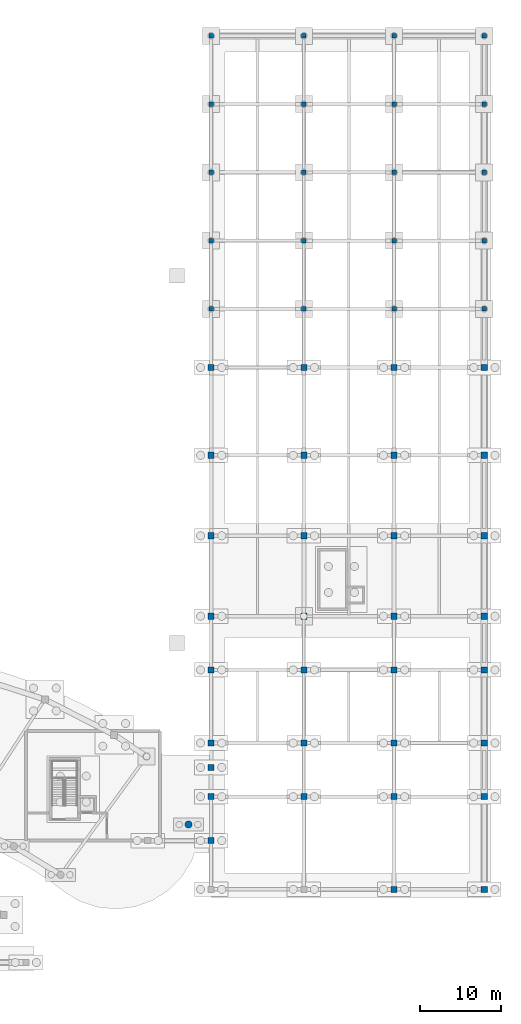
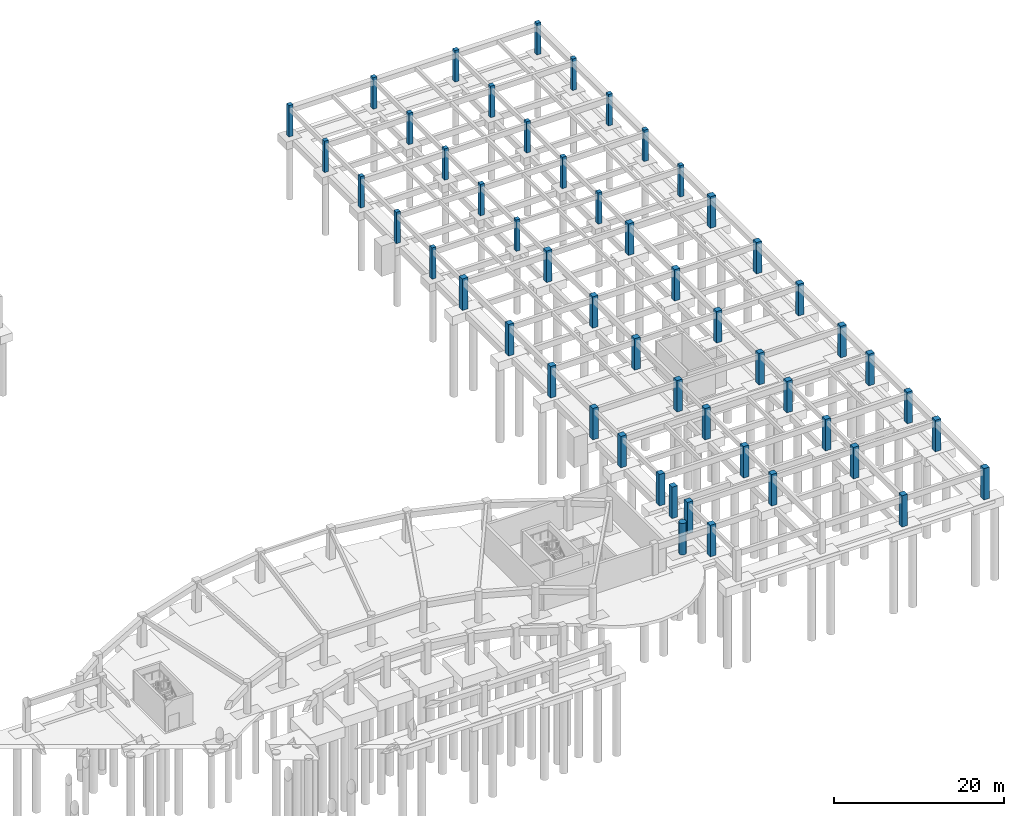
# One storey, part 9 of 28: 53 columns.
"""IFC4 building model written with IfcOpenShell, lengths in metres."""

import ifcopenshell
import ifcopenshell.guid

model = None  # the IFC model being written
_history = None  # IfcOwnerHistory: only IFC2X3 demands one
_inside = {}  # id of a spatial element -> (the spatial element, [elements in it])
_under = {}  # id of a project, library or spatial element -> (it, [spatial elements below it])
_declared = {}  # id of a project -> (the project, [libraries it declares])
_typed = {}  # id of a type object -> (the type object, [elements of that type])
_made_of = {}  # id of a material, layer set ... -> (it, [elements and type objects made of it])


def new_model(schema):
    """Start an empty IFC model of exactly this schema.

    Asked for "IFC4X3", IfcOpenShell would pick the latest addendum, in which some entities
    have other attributes; the version numbers below select the first issue.
    IFC2X3 requires an IfcOwnerHistory on every rooted entity: one is made here for all.
    """
    global model, _history
    if schema == "IFC4X3":
        model = ifcopenshell.file(schema_version=(4, 3, 0, 0))
    else:
        model = ifcopenshell.file(schema=schema)
    _inside.clear()
    _under.clear()
    _declared.clear()
    _typed.clear()
    _made_of.clear()
    _history = None
    if model.schema == "IFC2X3":
        org = make("IfcOrganization", Name="unknown")
        user = make(
            "IfcPersonAndOrganization",
            ThePerson=make("IfcPerson", FamilyName="unknown"),
            TheOrganization=org,
        )
        app = make(
            "IfcApplication",
            ApplicationDeveloper=org,
            Version="unknown",
            ApplicationFullName="unknown",
            ApplicationIdentifier="unknown",
        )
        _history = make(
            "IfcOwnerHistory",
            OwningUser=user,
            OwningApplication=app,
            ChangeAction="ADDED",
            CreationDate=0,
        )
    return model


def make(cls, **values):
    """One entity of the class cls with the attributes given. An attribute that is None is left unset."""
    return model.create_entity(
        cls, **{name: value for name, value in values.items() if value is not None}
    )


def rooted(cls, **values):
    """An entity with a GlobalId (a new one), such as an element, a storey or a relation."""
    return make(cls, GlobalId=ifcopenshell.guid.new(), OwnerHistory=_history, **values)


def si_unit(unit_type, name, prefix=None):
    """IfcSIUnit, for example si_unit("LENGTHUNIT", "METRE", prefix="MILLI")."""
    return make("IfcSIUnit", UnitType=unit_type, Prefix=prefix, Name=name)


def assignment(units):
    """IfcUnitAssignment: the units of a project."""
    return None if units is None else make("IfcUnitAssignment", Units=units)


def point(xyz):
    """IfcCartesianPoint."""
    return None if xyz is None else make("IfcCartesianPoint", Coordinates=xyz)


def direction(xyz):
    """IfcDirection."""
    return None if xyz is None else make("IfcDirection", DirectionRatios=xyz)


def frame(location, z_axis=None, x_axis=None):
    """IfcAxis2Placement3D, a coordinate frame: its origin and axes. An axis left out is left unset."""
    return make(
        "IfcAxis2Placement3D",
        Location=point(location),
        Axis=direction(z_axis),
        RefDirection=direction(x_axis),
    )


def frame_2d(location, x_axis=None):
    """IfcAxis2Placement2D, a coordinate frame in the plane: its origin and x axis."""
    return make(
        "IfcAxis2Placement2D", Location=point(location), RefDirection=direction(x_axis)
    )


def origin():
    """The frame at (0, 0, 0) with its axes left unset."""
    return frame((0.0, 0.0, 0.0))


def origin_2d():
    """The frame at (0, 0) in the plane with its x axis left unset."""
    return frame_2d((0.0, 0.0))


def place(relative_to, where):
    """IfcLocalPlacement: puts the frame where relative to a parent placement (None: the world)."""
    return make(
        "IfcLocalPlacement", PlacementRelTo=relative_to, RelativePlacement=where
    )


def context(
    kind, dimensions, precision=None, world=None, true_north=None, identifier=None
):
    """IfcGeometricRepresentationContext, for example the 3D "Model" context."""
    return make(
        "IfcGeometricRepresentationContext",
        ContextIdentifier=identifier,
        ContextType=kind,
        CoordinateSpaceDimension=dimensions,
        Precision=precision,
        WorldCoordinateSystem=world,
        TrueNorth=true_north,
    )


def subcontext(parent, identifier, kind, view, scale=None):
    """IfcGeometricRepresentationSubContext, for example "Body" below "Model"."""
    return make(
        "IfcGeometricRepresentationSubContext",
        ContextIdentifier=identifier,
        ContextType=kind,
        ParentContext=parent,
        TargetScale=scale,
        TargetView=view,
    )


def project(units=None, contexts=None):
    """IfcProject with its units and contexts."""
    return rooted(
        "IfcProject",
        Name="project",
        RepresentationContexts=contexts,
        UnitsInContext=assignment(units),
    )


def spatial(cls, under=None, at=None, **own):
    """A site, building, storey or space (cls), placed at a placement, below another one or the project."""
    s = rooted(cls, ObjectPlacement=at, **own)
    if under is not None:
        _under.setdefault(under.id(), (under, []))[1].append(s)
    return s


def profile(cls, at=None, kind="AREA", **sizes):
    """A parametric profile (cls). Its sizes go by their IFC names, for example OverallWidth=200.0."""
    return make(cls, ProfileType=kind, Position=at, **sizes)


def rectangle(**sizes):
    """IfcRectangleProfileDef."""
    return profile("IfcRectangleProfileDef", **sizes)


def circle(**sizes):
    """IfcCircleProfileDef."""
    return profile("IfcCircleProfileDef", **sizes)


def extrude(swept, where, along, depth):
    """IfcExtrudedAreaSolid: the profile swept, set in the frame where, extruded along a direction by depth."""
    return make(
        "IfcExtrudedAreaSolid",
        SweptArea=swept,
        Position=where,
        ExtrudedDirection=direction(along),
        Depth=depth,
    )


def shape(context_of_items, identifier, shape_type, items):
    """IfcShapeRepresentation: the items that make up one representation, for example the "Body"."""
    return make(
        "IfcShapeRepresentation",
        ContextOfItems=context_of_items,
        RepresentationIdentifier=identifier,
        RepresentationType=shape_type,
        Items=items,
    )


def material(Name=None, Category=None):
    """IfcMaterial."""
    return make("IfcMaterial", Name=Name, Category=Category)


def material_profile(
    of_material, cross_section, Name=None, Category=None, Priority=None
):
    """IfcMaterialProfile: a cross section and its material."""
    return make(
        "IfcMaterialProfile",
        Name=Name,
        Material=of_material,
        Profile=cross_section,
        Priority=Priority,
        Category=Category,
    )


def profile_set(profiles, Name=None, composite=None):
    """IfcMaterialProfileSet."""
    return make(
        "IfcMaterialProfileSet",
        Name=Name,
        MaterialProfiles=profiles,
        CompositeProfile=composite,
    )


def made_of(thing, what):
    """Note that an element or type object is made of a material, layer set ...; save() writes the relation."""
    if what is not None:
        _made_of.setdefault(what.id(), (what, []))[1].append(thing)
    return thing


def type_object(cls, material=None, **own):
    """A type object (cls), such as IfcWallType, which elements share."""
    return made_of(rooted(cls, **own), material)


def element(
    cls,
    number,
    at=None,
    inside=None,
    cuts=None,
    type_object=None,
    material=None,
    context=None,
    identifier="Body",
    shape_type=None,
    held_by="IfcProductDefinitionShape",
    body=None,
    shapes=None,
    **own,
):
    """One element of the class cls, such as IfcWall. Its Tag is "e" and its number.

    at: its placement. inside: the storey or other place that contains it. cuts: it is an
    opening in that element (IfcRelVoidsElement). A single representation is given by context,
    identifier, shape_type and body (its items); several are given by shapes. held_by: the class
    of the entity that holds the representations. save() writes the other relations.
    """
    e = rooted(cls, Tag="e%d" % number, ObjectPlacement=at, **own)
    if body is not None:
        shapes = [shape(context, identifier, shape_type, body)]
    if shapes is not None:
        e.Representation = make(held_by, Representations=shapes)
    if inside is not None:
        _inside.setdefault(inside.id(), (inside, []))[1].append(e)
    if cuts is not None:
        rooted(
            "IfcRelVoidsElement", RelatingBuildingElement=cuts, RelatedOpeningElement=e
        )
    if type_object is not None:
        _typed.setdefault(type_object.id(), (type_object, []))[1].append(e)
    return made_of(e, material)


def aggregate(whole, parts):
    """IfcRelAggregates: a whole, such as a stair, and the parts it consists of."""
    return rooted("IfcRelAggregates", RelatingObject=whole, RelatedObjects=parts)


def save(model, path):
    """Write the relations noted so far, then the file.

    IfcRelAggregates (storeys below a building ...), IfcRelContainedInSpatialStructure (elements
    in a storey), IfcRelDefinesByType, IfcRelAssociatesMaterial and IfcRelDeclares: one each for
    every whole, place, type object, material and project.
    """
    for whole, parts in _under.values():
        aggregate(whole, parts)
    for where, things in _inside.values():
        rooted(
            "IfcRelContainedInSpatialStructure",
            RelatedElements=things,
            RelatingStructure=where,
        )
    for kind, things in _typed.values():
        rooted("IfcRelDefinesByType", RelatedObjects=things, RelatingType=kind)
    for what, things in _made_of.values():
        rooted("IfcRelAssociatesMaterial", RelatedObjects=things, RelatingMaterial=what)
    for by, libraries in _declared.values():
        rooted("IfcRelDeclares", RelatingContext=by, RelatedDefinitions=libraries)
    model.write(path)


model = new_model("IFC4")

# Units and contexts
model_context = context("Model", 3, precision=1e-05, world=origin(), true_north=direction((0.0, 1.0)))
body_context = subcontext(model_context, "Body", "Model", "MODEL_VIEW")
ifc_project = project(units=[si_unit("LENGTHUNIT", "METRE"), si_unit("AREAUNIT", "SQUARE_METRE"), si_unit("VOLUMEUNIT", "CUBIC_METRE"), si_unit("PLANEANGLEUNIT", "RADIAN"), si_unit("MASSUNIT", "GRAM", prefix="KILO")], contexts=[model_context])

# Site, building, storey
site_placement = place(None, origin())
site = spatial("IfcSite", under=ifc_project, at=site_placement, CompositionType="ELEMENT")
building_placement = place(site_placement, origin())
building = spatial("IfcBuilding", under=site, at=building_placement, Name="Miralva Faculty of Natural Sciences", CompositionType="ELEMENT")
storey_placement = place(building_placement, frame((0.0, 0.0, -4.5)))
storey = spatial("IfcBuildingStorey", under=building, at=storey_placement, Name="B1", CompositionType="ELEMENT", Elevation=-4.5)

# Columns
ifc_material_1 = material(Name="Concrete C40/50", Category="concrete")
ifc_material_profile_1 = material_profile(ifc_material_1, rectangle(XDim=0.75, YDim=0.75, at=origin_2d()), Name="RC 750x750")
ifc_profile_set_1 = profile_set([ifc_material_profile_1], Name="Concrete C40/50")
column_type_1 = type_object("IfcColumnType", Name="COL-C06", PredefinedType="COLUMN", material=ifc_profile_set_1)
for number, where, z_axis, x_axis, name in (
    (1, (133.800048828125, 18.0, 0.0), (0.0, 0.0, 1.0), (1.0, 0.0, 0.0), "Column CS-LNK-EL2S B1"),
    (2, (133.800048828125, 27.0, 0.0), (0.0, 0.0, 1.0), (1.0, 0.0, 0.0), "Column CS-LNK-EL2N B1"),
    (3, (133.800048828125, 23.39990234375, 0.0), (0.0, 0.0, 1.0), (1.0, 0.0, 0.0), "Column CS-V2C-16C B1"),
    (4, (133.800048828125, 30.0, 0.0), (0.0, 0.0, 1.0), (1.0, 0.0, 0.0), "Column CS-V2C-16D B1"),
    (5, (133.800048828125, 39.0, 0.0), (0.0, 0.0, 1.0), (1.0, 0.0, 0.0), "Column CS-V2C-16E B1"),
    (6, (133.800048828125, 45.60009765625, 0.0), (0.0, 0.0, 1.0), (1.0, 0.0, 0.0), "Column CS-V2C-16F B1"),
    (7, (133.800048828125, 55.5, 0.0), (0.0, 0.0, 1.0), (1.0, 0.0, 0.0), "Column CS-V2C-16G B1"),
    (8, (133.800048828125, 65.39990234375, 0.0), (0.0, 0.0, 1.0), (1.0, 0.0, 0.0), "Column CS-V2C-16H B1"),
    (9, (133.800048828125, 76.199951171875, 0.0), (0.0, 0.0, 1.0), (1.0, 0.0, 0.0), "Column CS-V2C-16I B1"),
    (10, (145.199951171875, 23.39990234375, 0.0), (0.0, 0.0, 1.0), (1.0, 0.0, 0.0), "Column CS-V2C-17C B1"),
    (11, (145.199951171875, 30.0, 0.0), (0.0, 0.0, 1.0), (1.0, 0.0, 0.0), "Column CS-V2C-17D B1"),
    (12, (145.199951171875, 39.0, 0.0), (0.0, 0.0, 1.0), (1.0, 0.0, 0.0), "Column CS-V2C-17E B1"),
    (13, (145.199951171875, 45.60009765625, 0.0), (0.0, 0.0, 1.0), (1.0, 0.0, 0.0), "Column CS-V2C-17F B1"),
    (14, (145.199951171875, 55.5, 0.0), (0.0, 0.0, 1.0), (1.0, 0.0, 0.0), "Column CS-V2C-17G B1"),
    (15, (145.199951171875, 65.39990234375, 0.0), (0.0, 0.0, 1.0), (1.0, 0.0, 0.0), "Column CS-V2C-17H B1"),
    (16, (145.199951171875, 76.199951171875, 0.0), (0.0, 0.0, 1.0), (1.0, 0.0, 0.0), "Column CS-V2C-17I B1"),
    (17, (156.300048828125, 12.0, 0.0), (0.0, 0.0, 1.0), (1.0, 0.0, 0.0), "Column CS-V2C-18B12 B1"),
    (18, (156.300048828125, 23.39990234375, 0.0), (0.0, 0.0, 1.0), (1.0, 0.0, 0.0), "Column CS-V2C-18C B1"),
    (19, (156.300048828125, 30.0, 0.0), (0.0, 0.0, 1.0), (1.0, 0.0, 0.0), "Column CS-V2C-18D B1"),
    (20, (156.300048828125, 39.0, 0.0), (0.0, 0.0, 1.0), (1.0, 0.0, 0.0), "Column CS-V2C-18E B1"),
    (21, (156.300048828125, 45.60009765625, 0.0), (0.0, 0.0, 1.0), (1.0, 0.0, 0.0), "Column CS-V2C-18F B1"),
    (22, (156.300048828125, 55.5, 0.0), (0.0, 0.0, 1.0), (1.0, 0.0, 0.0), "Column CS-V2C-18G B1"),
    (23, (156.300048828125, 65.39990234375, 0.0), (0.0, 0.0, 1.0), (1.0, 0.0, 0.0), "Column CS-V2C-18H B1"),
    (24, (156.300048828125, 76.199951171875, 0.0), (0.0, 0.0, 1.0), (1.0, 0.0, 0.0), "Column CS-V2C-18I B1"),
    (25, (167.39990234375, 12.0, 0.0), (0.0, 0.0, 1.0), (1.0, 0.0, 0.0), "Column CS-V2C-19B12 B1"),
    (26, (167.39990234375, 23.39990234375, 0.0), (0.0, 0.0, 1.0), (1.0, 0.0, 0.0), "Column CS-V2C-19C B1"),
    (27, (167.39990234375, 30.0, 0.0), (0.0, 0.0, 1.0), (1.0, 0.0, 0.0), "Column CS-V2C-19D B1"),
    (28, (167.39990234375, 39.0, 0.0), (0.0, 0.0, 1.0), (1.0, 0.0, 0.0), "Column CS-V2C-19E B1"),
    (29, (167.39990234375, 45.60009765625, 0.0), (0.0, 0.0, 1.0), (1.0, 0.0, 0.0), "Column CS-V2C-19F B1"),
    (30, (167.39990234375, 55.5, 0.0), (0.0, 0.0, 1.0), (1.0, 0.0, 0.0), "Column CS-V2C-19G B1"),
    (31, (167.39990234375, 65.39990234375, 0.0), (0.0, 0.0, 1.0), (1.0, 0.0, 0.0), "Column CS-V2C-19H B1"),
    (32, (167.39990234375, 76.199951171875, 0.0), (0.0, 0.0, 1.0), (1.0, 0.0, 0.0), "Column CS-V2C-19I B1"),
):
    element("IfcColumn", number, at=place(storey_placement, frame(where, z_axis=z_axis, x_axis=x_axis)), inside=storey, type_object=column_type_1, Name=name, PredefinedType="COLUMN", context=body_context, shape_type="SweptSolid", body=[
        extrude(rectangle(XDim=0.75, YDim=0.75, at=origin_2d()), origin(), (0.0, 0.0, 1.0), 4.5),
    ])
ifc_material_profile_2 = material_profile(ifc_material_1, rectangle(XDim=0.550048828125, YDim=0.550048828125, at=origin_2d()), Name="RC 550x550")
ifc_profile_set_2 = profile_set([ifc_material_profile_2], Name="Concrete C40/50")
column_type_2 = type_object("IfcColumnType", Name="COL-C10", PredefinedType="COLUMN", material=ifc_profile_set_2)
for number, where, z_axis, x_axis, name in (
    (33, (133.800048828125, 83.39990234375, 0.0), (0.0, 0.0, 1.0), (1.0, 0.0, 0.0), "Column CS-V2B-16J B1"),
    (34, (133.800048828125, 91.800048828125, 0.0), (0.0, 0.0, 1.0), (1.0, 0.0, 0.0), "Column CS-V2B-16K B1"),
    (35, (133.800048828125, 100.199951171875, 0.0), (0.0, 0.0, 1.0), (1.0, 0.0, 0.0), "Column CS-V2B-16L B1"),
    (36, (133.800048828125, 108.60009765625, 0.0), (0.0, 0.0, 1.0), (1.0, 0.0, 0.0), "Column CS-V2B-16M B1"),
    (37, (133.800048828125, 117.0, 0.0), (0.0, 0.0, 1.0), (1.0, 0.0, 0.0), "Column CS-V2B-16N B1"),
    (38, (145.199951171875, 83.39990234375, 0.0), (0.0, 0.0, 1.0), (1.0, 0.0, 0.0), "Column CS-V2B-17J B1"),
    (39, (145.199951171875, 91.800048828125, 0.0), (0.0, 0.0, 1.0), (1.0, 0.0, 0.0), "Column CS-V2B-17K B1"),
    (40, (145.199951171875, 100.199951171875, 0.0), (0.0, 0.0, 1.0), (1.0, 0.0, 0.0), "Column CS-V2B-17L B1"),
    (41, (145.199951171875, 108.60009765625, 0.0), (0.0, 0.0, 1.0), (1.0, 0.0, 0.0), "Column CS-V2B-17M B1"),
    (42, (145.199951171875, 117.0, 0.0), (0.0, 0.0, 1.0), (1.0, 0.0, 0.0), "Column CS-V2B-17N B1"),
    (43, (156.300048828125, 83.39990234375, 0.0), (0.0, 0.0, 1.0), (1.0, 0.0, 0.0), "Column CS-V2B-18J B1"),
    (44, (156.300048828125, 91.800048828125, 0.0), (0.0, 0.0, 1.0), (1.0, 0.0, 0.0), "Column CS-V2B-18K B1"),
    (45, (156.300048828125, 100.199951171875, 0.0), (0.0, 0.0, 1.0), (1.0, 0.0, 0.0), "Column CS-V2B-18L B1"),
    (46, (156.300048828125, 108.60009765625, 0.0), (0.0, 0.0, 1.0), (1.0, 0.0, 0.0), "Column CS-V2B-18M B1"),
    (47, (156.300048828125, 117.0, 0.0), (0.0, 0.0, 1.0), (1.0, 0.0, 0.0), "Column CS-V2B-18N B1"),
    (48, (167.39990234375, 83.39990234375, 0.0), (0.0, 0.0, 1.0), (1.0, 0.0, 0.0), "Column CS-V2B-19J B1"),
    (49, (167.39990234375, 91.800048828125, 0.0), (0.0, 0.0, 1.0), (1.0, 0.0, 0.0), "Column CS-V2B-19K B1"),
    (50, (167.39990234375, 100.199951171875, 0.0), (0.0, 0.0, 1.0), (1.0, 0.0, 0.0), "Column CS-V2B-19L B1"),
    (51, (167.39990234375, 108.60009765625, 0.0), (0.0, 0.0, 1.0), (1.0, 0.0, 0.0), "Column CS-V2B-19M B1"),
    (52, (167.39990234375, 117.0, 0.0), (0.0, 0.0, 1.0), (1.0, 0.0, 0.0), "Column CS-V2B-19N B1"),
):
    element("IfcColumn", number, at=place(storey_placement, frame(where, z_axis=z_axis, x_axis=x_axis)), inside=storey, type_object=column_type_2, Name=name, PredefinedType="COLUMN", context=body_context, shape_type="SweptSolid", body=[
        extrude(rectangle(XDim=0.550048828125, YDim=0.550048828125, at=origin_2d()), origin(), (0.0, 0.0, 1.0), 4.5),
    ])
ifc_material_2 = material(Name="Concrete C50/60", Category="concrete")
ifc_material_profile_3 = material_profile(ifc_material_2, circle(Radius=0.449951171875, at=origin_2d()), Name="RC DIA 900")
ifc_profile_set_3 = profile_set([ifc_material_profile_3], Name="Concrete C50/60")
column_type_3 = type_object("IfcColumnType", Name="COL-C13", PredefinedType="COLUMN", material=ifc_profile_set_3)
column_placement = place(storey_placement, frame((131.014404296875, 19.9765625, 0.0), z_axis=(0.0, 0.0, 1.0), x_axis=(1.0, 0.0, 0.0)))
element("IfcColumn", 53, at=column_placement, inside=storey, type_object=column_type_3, Name="Column CS-RND-E01 B1", PredefinedType="COLUMN", context=body_context, shape_type="SweptSolid", body=[
    extrude(circle(Radius=0.449951171875, at=origin_2d()), origin(), (0.0, 0.0, 1.0), 4.5),
])

save(model, "model.ifc")
